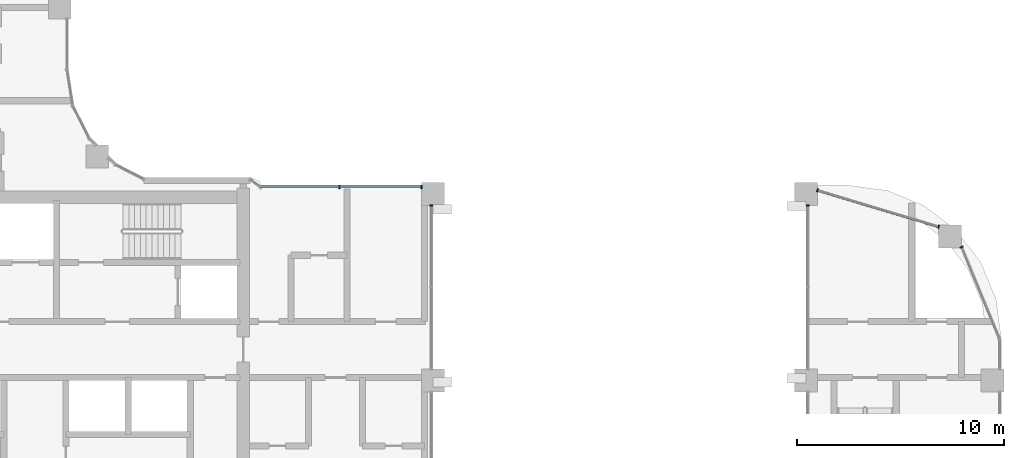
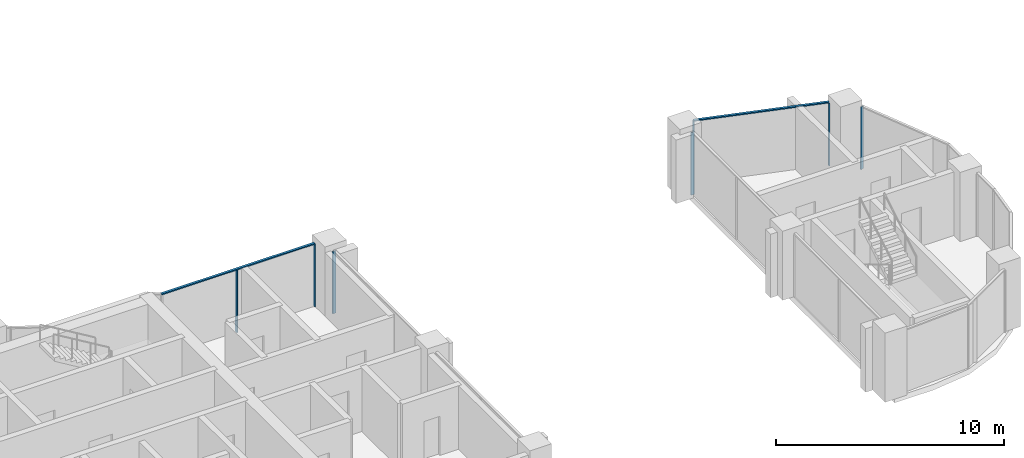
# One storey, part 4 of 21: 9 members, 5 elements without a shape of their own.
"""IFC4 building model written with IfcOpenShell, lengths in metres."""

from ifc_helpers import new_model, si_unit, direction, frame, origin, origin_2d, place, context, subcontext, project, spatial, rectangle, extrude, material, material_profile, profile_set, type_object, element, aggregate, save


model = new_model("IFC4")

# Units and contexts
model_context = context("Model", 3, precision=1e-05, world=origin(), true_north=direction((0.0, 1.0)))
body_context = subcontext(model_context, "Body", "Model", "MODEL_VIEW")
ifc_project = project(units=[si_unit("LENGTHUNIT", "METRE"), si_unit("AREAUNIT", "SQUARE_METRE"), si_unit("VOLUMEUNIT", "CUBIC_METRE"), si_unit("PLANEANGLEUNIT", "RADIAN"), si_unit("MASSUNIT", "GRAM", prefix="KILO")], contexts=[model_context])

# Site, building, storey
site_placement = place(None, origin())
site = spatial("IfcSite", under=ifc_project, at=site_placement, CompositionType="ELEMENT")
building_placement = place(site_placement, origin())
building = spatial("IfcBuilding", under=site, at=building_placement, Name="Ogive Portal Towers", CompositionType="ELEMENT")
storey_placement = place(building_placement, frame((0.0, 0.0, 157.0)))
storey = spatial("IfcBuildingStorey", under=building, at=storey_placement, Name="L38", CompositionType="ELEMENT", Elevation=157.0)

# Curtain wall, member
ifc_material_1 = material(Name="Glass, clear low-iron insulated glazing", Category="glass")
curtain_wall_type_1 = type_object("IfcCurtainWallType", Name="CW PORTAL REVEAL", PredefinedType="NOTDEFINED", material=ifc_material_1)
curtain_wall_1_placement = place(storey_placement, origin())
curtain_wall_1 = element("IfcCurtainWall", 1, at=curtain_wall_1_placement, inside=storey, type_object=curtain_wall_type_1, Name="A:L38:f22:cw0~1", PredefinedType="NOTDEFINED")
ifc_material_2 = material(Name="Aluminium 6063 anodised", Category="aluminium")
ifc_material_profile_1 = material_profile(ifc_material_2, rectangle(XDim=0.159912109375, YDim=0.06005859375, at=origin_2d()), Name="AL 60x160")
ifc_profile_set_1 = profile_set([ifc_material_profile_1], Name="Aluminium 6063 anodised")
member_type_1 = type_object("IfcMemberType", Name="CW MULLION 60x160", PredefinedType="MULLION", material=ifc_profile_set_1)
member_1_placement = place(storey_placement, frame((67.419921875, 38.949951171875, 0.0), z_axis=(0.0, 0.0, 1.0), x_axis=(-1.0, 0.0, 0.0)))
member_1 = element("IfcMember", 2, at=member_1_placement, type_object=member_type_1, Name="mullion", PredefinedType="MULLION", context=body_context, shape_type="SweptSolid", body=[
    extrude(rectangle(XDim=0.159912109375, YDim=0.06005859375, at=origin_2d()), origin(), (0.0, 0.0, 1.0), 3.340087890625),
])
aggregate(curtain_wall_1, [member_1])

# Curtain wall, members
curtain_wall_type_2 = type_object("IfcCurtainWallType", Name="CW FRONT RIBBON 4500", PredefinedType="NOTDEFINED", material=ifc_material_1)
curtain_wall_2_placement = place(storey_placement, origin())
curtain_wall_2 = element("IfcCurtainWall", 3, at=curtain_wall_2_placement, inside=storey, type_object=curtain_wall_type_2, Name="A:L38:f23:cw0", PredefinedType="NOTDEFINED")
member_2_placement = place(storey_placement, frame((66.949951171875, 39.844970703125, 0.0), z_axis=(0.0, 0.0, 1.0), x_axis=(0.0, -1.0, 0.0)))
member_2 = element("IfcMember", 4, at=member_2_placement, type_object=member_type_1, Name="mullion", PredefinedType="MULLION", context=body_context, shape_type="SweptSolid", body=[
    extrude(rectangle(XDim=0.159912109375, YDim=0.06005859375, at=origin_2d()), origin(), (0.0, 0.0, 1.0), 3.340087890625),
])
member_3_placement = place(storey_placement, frame((63.0, 39.844970703125, 0.0), z_axis=(0.0, 0.0, 1.0), x_axis=(0.0, -1.0, 0.0)))
member_3 = element("IfcMember", 5, at=member_3_placement, type_object=member_type_1, Name="mullion", PredefinedType="MULLION", context=body_context, shape_type="SweptSolid", body=[
    extrude(rectangle(XDim=0.159912109375, YDim=0.06005859375, at=origin_2d()), origin(), (0.0, 0.0, 1.0), 3.340087890625),
])

# Curtain wall, member
curtain_wall_3_placement = place(storey_placement, origin())
curtain_wall_3 = element("IfcCurtainWall", 6, at=curtain_wall_3_placement, inside=storey, type_object=curtain_wall_type_1, Name="A:L38:f24:cw0~0", PredefinedType="NOTDEFINED")
member_4_placement = place(storey_placement, frame((85.580078125, 38.949951171875, 0.0), z_axis=(0.0, 0.0, 1.0), x_axis=(1.0, 0.0, 0.0)))
member_4 = element("IfcMember", 7, at=member_4_placement, type_object=member_type_1, Name="mullion", PredefinedType="MULLION", context=body_context, shape_type="SweptSolid", body=[
    extrude(rectangle(XDim=0.159912109375, YDim=0.06005859375, at=origin_2d()), origin(), (0.0, 0.0, 1.0), 3.340087890625),
])
aggregate(curtain_wall_3, [member_4])

curtain_wall_4_placement = place(storey_placement, origin())
curtain_wall_4 = element("IfcCurtainWall", 8, at=curtain_wall_4_placement, inside=storey, type_object=curtain_wall_type_2, Name="A:L38:f30:cwa~0", PredefinedType="NOTDEFINED")
member_5_placement = place(storey_placement, frame((93.0, 36.938232421875, 0.0), z_axis=(0.0, 0.0, 1.0), x_axis=(-0.923879532511, -0.382683432365, 0.0)))
member_5 = element("IfcMember", 9, at=member_5_placement, type_object=member_type_1, Name="mullion", PredefinedType="MULLION", context=body_context, shape_type="SweptSolid", body=[
    extrude(rectangle(XDim=0.159912109375, YDim=0.06005859375, at=origin_2d()), origin(), (0.0, 0.0, 1.0), 3.340087890625),
])
aggregate(curtain_wall_4, [member_5])

# Curtain wall, members
curtain_wall_5_placement = place(storey_placement, origin())
curtain_wall_5 = element("IfcCurtainWall", 10, at=curtain_wall_5_placement, inside=storey, type_object=curtain_wall_type_2, Name="A:L38:f30:cwa~1", PredefinedType="NOTDEFINED")
member_6_placement = place(storey_placement, frame((91.89990234375, 37.921875, 0.0), z_axis=(0.0, 0.0, 1.0), x_axis=(-0.287305681891, -0.95783894531, 0.0)))
member_6 = element("IfcMember", 11, at=member_6_placement, type_object=member_type_1, Name="mullion", PredefinedType="MULLION", context=body_context, shape_type="SweptSolid", body=[
    extrude(rectangle(XDim=0.159912109375, YDim=0.06005859375, at=origin_2d()), origin(), (0.0, 0.0, 1.0), 3.340087890625),
])
member_7_placement = place(storey_placement, frame((86.050048828125, 39.676513671875, 0.0), z_axis=(0.0, 0.0, 1.0), x_axis=(-0.287305681891, -0.95783894531, 0.0)))
member_7 = element("IfcMember", 12, at=member_7_placement, type_object=member_type_1, Name="mullion", PredefinedType="MULLION", context=body_context, shape_type="SweptSolid", body=[
    extrude(rectangle(XDim=0.159912109375, YDim=0.06005859375, at=origin_2d()), origin(), (0.0, 0.0, 1.0), 3.340087890625),
])

# Member
ifc_material_profile_2 = material_profile(ifc_material_2, rectangle(XDim=0.1201171875, YDim=0.06005859375, at=origin_2d()), Name="AL 120x60")
ifc_profile_set_2 = profile_set([ifc_material_profile_2], Name="Aluminium 6063 anodised")
member_type_2 = type_object("IfcMemberType", Name="CW TRANSOM 60x120", PredefinedType="USERDEFINED", material=ifc_profile_set_2)
member_8_placement = place(storey_placement, frame((66.949951171875, 39.844970703125, 3.3701171875), z_axis=(-1.0, 0.0, 0.0), x_axis=(0.0, -1.0, 0.0)))
member_8 = element("IfcMember", 13, at=member_8_placement, type_object=member_type_2, Name="transom", ObjectType="TRANSOM", PredefinedType="USERDEFINED", context=body_context, shape_type="SweptSolid", body=[
    extrude(rectangle(XDim=0.1201171875, YDim=0.06005859375, at=origin_2d()), origin(), (0.0, 0.0, 1.0), 7.76953125),
])

aggregate(curtain_wall_2, [member_8, member_2, member_3])

member_9_placement = place(storey_placement, frame((91.89990234375, 37.921875, 3.3701171875), z_axis=(-0.95784058701, 0.287300208624, 0.0), x_axis=(-0.287300208624, -0.95784058701, 0.0)))
member_9 = element("IfcMember", 14, at=member_9_placement, type_object=member_type_2, Name="transom", ObjectType="TRANSOM", PredefinedType="USERDEFINED", context=body_context, shape_type="SweptSolid", body=[
    extrude(rectangle(XDim=0.1201171875, YDim=0.06005859375, at=origin_2d()), origin(), (0.0, 0.0, 1.0), 6.107421875),
])

aggregate(curtain_wall_5, [member_9, member_6, member_7])

save(model, "model.ifc")
